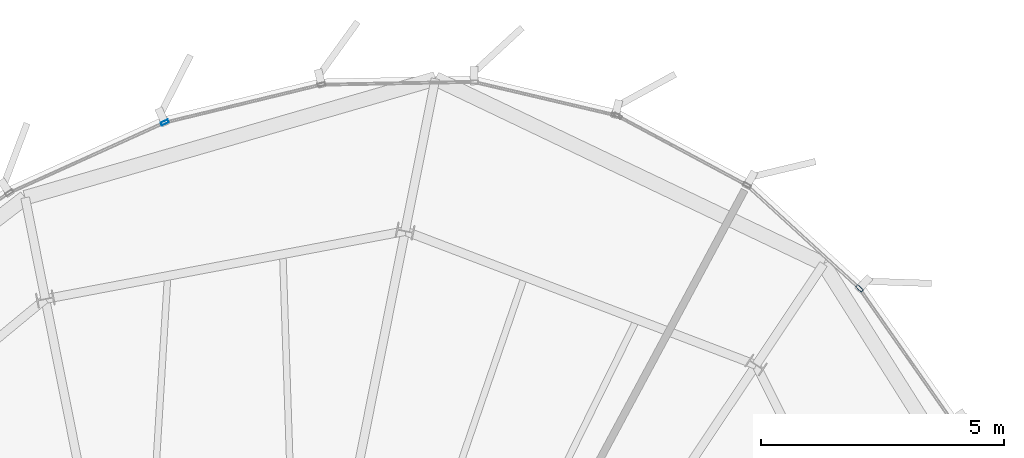
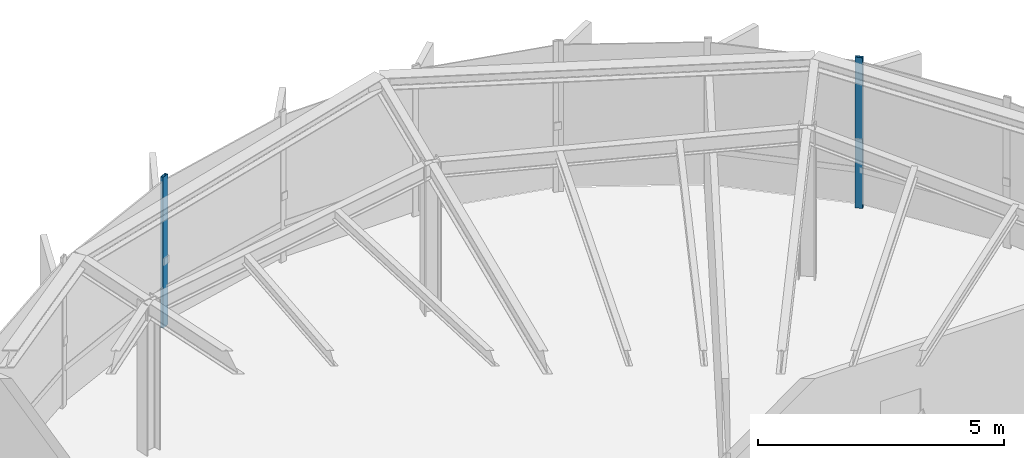
# One storey, part 17 of 27: 2 members, 2 elements without a shape of their own.
"""IFC4 building model written with IfcOpenShell, lengths in metres."""

from ifc_helpers import new_model, si_unit, direction, frame, origin, origin_2d, place, context, subcontext, project, spatial, hollow_rectangle, extrude, source, transform, mapped, material, layer, layer_set, material_profile, profile_set, type_object, element, aggregate, save


model = new_model("IFC4")

# Units and contexts
model_context = context("Model", 3, precision=1e-05, world=origin(), true_north=direction((0.0, 1.0)))
body_context = subcontext(model_context, "Body", "Model", "MODEL_VIEW")
ifc_project = project(units=[si_unit("LENGTHUNIT", "METRE"), si_unit("AREAUNIT", "SQUARE_METRE"), si_unit("VOLUMEUNIT", "CUBIC_METRE"), si_unit("PLANEANGLEUNIT", "RADIAN"), si_unit("MASSUNIT", "GRAM", prefix="KILO"), si_unit("THERMODYNAMICTEMPERATUREUNIT", "KELVIN")], contexts=[model_context])

# Site, building, storey
site_placement = place(None, origin())
site = spatial("IfcSite", under=ifc_project, at=site_placement, CompositionType="ELEMENT")
building_placement = place(site_placement, origin())
building = spatial("IfcBuilding", under=site, at=building_placement, Name="Kethvar Cultural Tower", CompositionType="ELEMENT")
storey_placement = place(building_placement, frame((0.0, 0.0, 312.300048828125)))
storey = spatial("IfcBuildingStorey", under=building, at=storey_placement, Name="L83", CompositionType="ELEMENT", Elevation=312.300048828125)

# Curtain wall, member
ifc_material = material(Name="Aluminium 6063-T6", Category="aluminium")
ifc_layer = layer(ifc_material, 0.179931640625, Name="Aluminium 6063-T6", Category="aluminium")
ifc_layer_set = layer_set([ifc_layer], Name="Aluminium 6063-T6 (180 mm)")
curtain_wall_type = type_object("IfcCurtainWallType", Name="CW-SYS-06-CROWN", PredefinedType="NOTDEFINED", material=ifc_layer_set)
curtain_wall_1_placement = place(storey_placement, origin())
curtain_wall_1 = element("IfcCurtainWall", 1, at=curtain_wall_1_placement, inside=storey, type_object=curtain_wall_type, Name="L83 Curtain Wall Run 01", PredefinedType="NOTDEFINED")
ifc_material_profile = material_profile(ifc_material, hollow_rectangle(XDim=0.06494140625, YDim=0.159912109375, WallThickness=0.0048828125, at=origin_2d()), Name="Aluminium 6063-T6 — RHS160x65x5")
ifc_profile_set = profile_set([ifc_material_profile], Name="Aluminium 6063-T6 — RHS160x65x5")
member_type = type_object("IfcMemberType", Name="CW-SYS-06-CROWN-MUL", PredefinedType="MULLION", material=ifc_profile_set)
shared_shape = source(origin(), body_context, "Body", "SweptSolid", [
    extrude(hollow_rectangle(XDim=0.06494140625, YDim=0.159912109375, WallThickness=0.0048828125, at=origin_2d()), origin(), (0.0, 0.0, 1.0), 3.73486328125),
])
member_1_placement = place(storey_placement, frame((45.693603515625, 49.369873046875, 0.0), z_axis=(0.0, 0.0, 1.0), x_axis=(0.412341352388, -0.911029422747, 0.0)))
member_1 = element("IfcMember", 2, at=member_1_placement, type_object=member_type, Name="CW-L83-R01 Mullion 4", PredefinedType="MULLION", context=body_context, shape_type="MappedRepresentation", body=[
    mapped(shared_shape, transform((0.0, 0.0, 0.0), scale=1.0)),
])
aggregate(curtain_wall_1, [member_1])

curtain_wall_2_placement = place(storey_placement, origin())
curtain_wall_2 = element("IfcCurtainWall", 3, at=curtain_wall_2_placement, inside=storey, type_object=curtain_wall_type, Name="L83 Curtain Wall Run 06", PredefinedType="NOTDEFINED")
member_2_placement = place(storey_placement, frame((60.00537109375, 45.951416015625, 0.0), z_axis=(0.0, 0.0, 1.0), x_axis=(-0.675075326339, -0.737748808042, 0.0)))
member_2 = element("IfcMember", 4, at=member_2_placement, type_object=member_type, Name="CW-L83-R06 Mullion 5", PredefinedType="MULLION", context=body_context, shape_type="MappedRepresentation", body=[
    mapped(shared_shape, transform((0.0, 0.0, 0.0), scale=1.0)),
])
aggregate(curtain_wall_2, [member_2])

save(model, "model.ifc")
